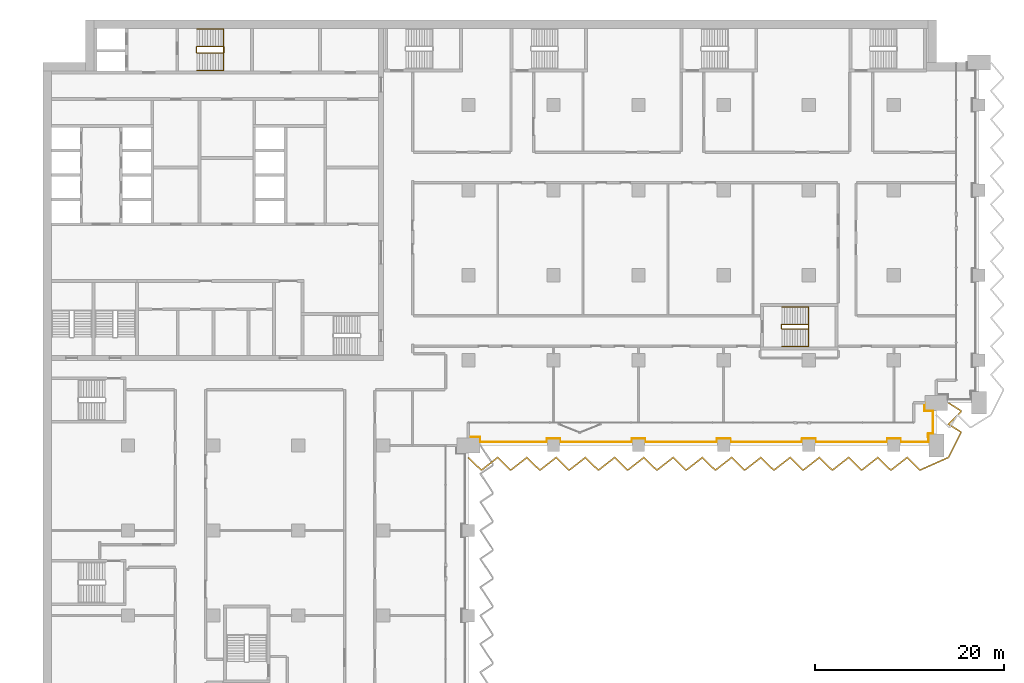
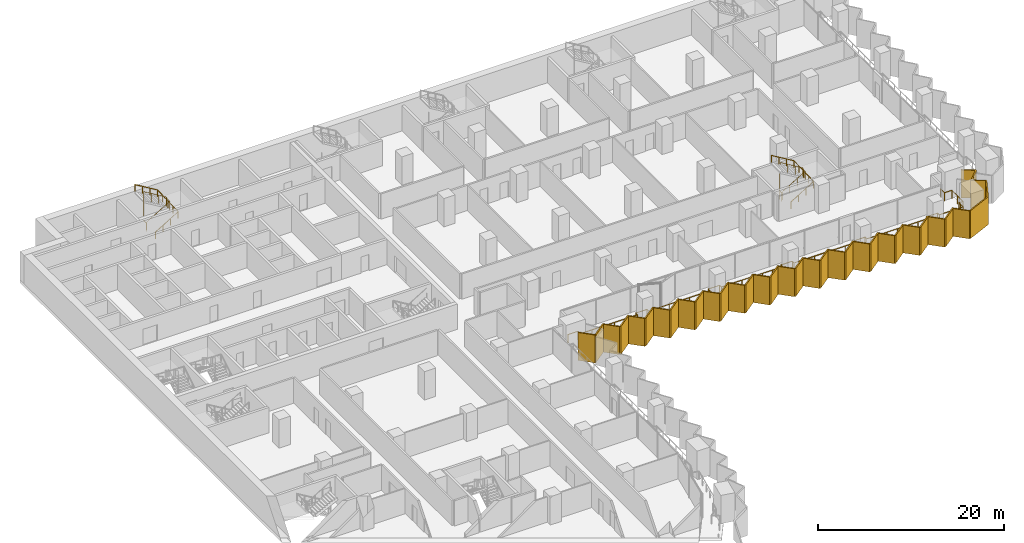
# One storey, part 26 of 28: 5 railings, 1 shading device.
"""IFC4 building model written with IfcOpenShell, lengths in metres."""

import ifcopenshell
import ifcopenshell.guid

model = None  # the IFC model being written
_history = None  # IfcOwnerHistory: only IFC2X3 demands one
_inside = {}  # id of a spatial element -> (the spatial element, [elements in it])
_under = {}  # id of a project, library or spatial element -> (it, [spatial elements below it])
_declared = {}  # id of a project -> (the project, [libraries it declares])
_typed = {}  # id of a type object -> (the type object, [elements of that type])
_made_of = {}  # id of a material, layer set ... -> (it, [elements and type objects made of it])


def new_model(schema):
    """Start an empty IFC model of exactly this schema.

    Asked for "IFC4X3", IfcOpenShell would pick the latest addendum, in which some entities
    have other attributes; the version numbers below select the first issue.
    IFC2X3 requires an IfcOwnerHistory on every rooted entity: one is made here for all.
    """
    global model, _history
    if schema == "IFC4X3":
        model = ifcopenshell.file(schema_version=(4, 3, 0, 0))
    else:
        model = ifcopenshell.file(schema=schema)
    _inside.clear()
    _under.clear()
    _declared.clear()
    _typed.clear()
    _made_of.clear()
    _history = None
    if model.schema == "IFC2X3":
        org = make("IfcOrganization", Name="unknown")
        user = make(
            "IfcPersonAndOrganization",
            ThePerson=make("IfcPerson", FamilyName="unknown"),
            TheOrganization=org,
        )
        app = make(
            "IfcApplication",
            ApplicationDeveloper=org,
            Version="unknown",
            ApplicationFullName="unknown",
            ApplicationIdentifier="unknown",
        )
        _history = make(
            "IfcOwnerHistory",
            OwningUser=user,
            OwningApplication=app,
            ChangeAction="ADDED",
            CreationDate=0,
        )
    return model


def make(cls, **values):
    """One entity of the class cls with the attributes given. An attribute that is None is left unset."""
    return model.create_entity(
        cls, **{name: value for name, value in values.items() if value is not None}
    )


def rooted(cls, **values):
    """An entity with a GlobalId (a new one), such as an element, a storey or a relation."""
    return make(cls, GlobalId=ifcopenshell.guid.new(), OwnerHistory=_history, **values)


def si_unit(unit_type, name, prefix=None):
    """IfcSIUnit, for example si_unit("LENGTHUNIT", "METRE", prefix="MILLI")."""
    return make("IfcSIUnit", UnitType=unit_type, Prefix=prefix, Name=name)


def assignment(units):
    """IfcUnitAssignment: the units of a project."""
    return None if units is None else make("IfcUnitAssignment", Units=units)


def point(xyz):
    """IfcCartesianPoint."""
    return None if xyz is None else make("IfcCartesianPoint", Coordinates=xyz)


def direction(xyz):
    """IfcDirection."""
    return None if xyz is None else make("IfcDirection", DirectionRatios=xyz)


def frame(location, z_axis=None, x_axis=None):
    """IfcAxis2Placement3D, a coordinate frame: its origin and axes. An axis left out is left unset."""
    return make(
        "IfcAxis2Placement3D",
        Location=point(location),
        Axis=direction(z_axis),
        RefDirection=direction(x_axis),
    )


def frame_2d(location, x_axis=None):
    """IfcAxis2Placement2D, a coordinate frame in the plane: its origin and x axis."""
    return make(
        "IfcAxis2Placement2D", Location=point(location), RefDirection=direction(x_axis)
    )


def origin():
    """The frame at (0, 0, 0) with its axes left unset."""
    return frame((0.0, 0.0, 0.0))


def origin_2d():
    """The frame at (0, 0) in the plane with its x axis left unset."""
    return frame_2d((0.0, 0.0))


def place(relative_to, where):
    """IfcLocalPlacement: puts the frame where relative to a parent placement (None: the world)."""
    return make(
        "IfcLocalPlacement", PlacementRelTo=relative_to, RelativePlacement=where
    )


def context(
    kind, dimensions, precision=None, world=None, true_north=None, identifier=None
):
    """IfcGeometricRepresentationContext, for example the 3D "Model" context."""
    return make(
        "IfcGeometricRepresentationContext",
        ContextIdentifier=identifier,
        ContextType=kind,
        CoordinateSpaceDimension=dimensions,
        Precision=precision,
        WorldCoordinateSystem=world,
        TrueNorth=true_north,
    )


def subcontext(parent, identifier, kind, view, scale=None):
    """IfcGeometricRepresentationSubContext, for example "Body" below "Model"."""
    return make(
        "IfcGeometricRepresentationSubContext",
        ContextIdentifier=identifier,
        ContextType=kind,
        ParentContext=parent,
        TargetScale=scale,
        TargetView=view,
    )


def project(units=None, contexts=None):
    """IfcProject with its units and contexts."""
    return rooted(
        "IfcProject",
        Name="project",
        RepresentationContexts=contexts,
        UnitsInContext=assignment(units),
    )


def spatial(cls, under=None, at=None, **own):
    """A site, building, storey or space (cls), placed at a placement, below another one or the project."""
    s = rooted(cls, ObjectPlacement=at, **own)
    if under is not None:
        _under.setdefault(under.id(), (under, []))[1].append(s)
    return s


def polyline(points):
    """IfcPolyline through the points."""
    return make("IfcPolyline", Points=[point(p) for p in points])


def profile(cls, at=None, kind="AREA", **sizes):
    """A parametric profile (cls). Its sizes go by their IFC names, for example OverallWidth=200.0."""
    return make(cls, ProfileType=kind, Position=at, **sizes)


def circle(**sizes):
    """IfcCircleProfileDef."""
    return profile("IfcCircleProfileDef", **sizes)


def outline(outer, holes=None, kind="AREA"):
    """IfcArbitraryClosedProfileDef: a profile drawn as a closed curve; with holes, ...WithVoids."""
    if holes is None:
        return make("IfcArbitraryClosedProfileDef", ProfileType=kind, OuterCurve=outer)
    return make(
        "IfcArbitraryProfileDefWithVoids",
        ProfileType=kind,
        OuterCurve=outer,
        InnerCurves=holes,
    )


def extrude(swept, where, along, depth):
    """IfcExtrudedAreaSolid: the profile swept, set in the frame where, extruded along a direction by depth."""
    return make(
        "IfcExtrudedAreaSolid",
        SweptArea=swept,
        Position=where,
        ExtrudedDirection=direction(along),
        Depth=depth,
    )


def shape(context_of_items, identifier, shape_type, items):
    """IfcShapeRepresentation: the items that make up one representation, for example the "Body"."""
    return make(
        "IfcShapeRepresentation",
        ContextOfItems=context_of_items,
        RepresentationIdentifier=identifier,
        RepresentationType=shape_type,
        Items=items,
    )


def material(Name=None, Category=None):
    """IfcMaterial."""
    return make("IfcMaterial", Name=Name, Category=Category)


def layer(
    of_material, thickness, ventilated=None, Name=None, Category=None, Priority=None
):
    """IfcMaterialLayer: one layer of a wall or slab, of a material (None: an air gap)."""
    return make(
        "IfcMaterialLayer",
        Material=of_material,
        LayerThickness=thickness,
        IsVentilated=ventilated,
        Name=Name,
        Category=Category,
        Priority=Priority,
    )


def layer_set(layers, Name=None):
    """IfcMaterialLayerSet."""
    return make("IfcMaterialLayerSet", MaterialLayers=layers, LayerSetName=Name)


def made_of(thing, what):
    """Note that an element or type object is made of a material, layer set ...; save() writes the relation."""
    if what is not None:
        _made_of.setdefault(what.id(), (what, []))[1].append(thing)
    return thing


def type_object(cls, material=None, **own):
    """A type object (cls), such as IfcWallType, which elements share."""
    return made_of(rooted(cls, **own), material)


def element(
    cls,
    number,
    at=None,
    inside=None,
    cuts=None,
    type_object=None,
    material=None,
    context=None,
    identifier="Body",
    shape_type=None,
    held_by="IfcProductDefinitionShape",
    body=None,
    shapes=None,
    **own,
):
    """One element of the class cls, such as IfcWall. Its Tag is "e" and its number.

    at: its placement. inside: the storey or other place that contains it. cuts: it is an
    opening in that element (IfcRelVoidsElement). A single representation is given by context,
    identifier, shape_type and body (its items); several are given by shapes. held_by: the class
    of the entity that holds the representations. save() writes the other relations.
    """
    e = rooted(cls, Tag="e%d" % number, ObjectPlacement=at, **own)
    if body is not None:
        shapes = [shape(context, identifier, shape_type, body)]
    if shapes is not None:
        e.Representation = make(held_by, Representations=shapes)
    if inside is not None:
        _inside.setdefault(inside.id(), (inside, []))[1].append(e)
    if cuts is not None:
        rooted(
            "IfcRelVoidsElement", RelatingBuildingElement=cuts, RelatedOpeningElement=e
        )
    if type_object is not None:
        _typed.setdefault(type_object.id(), (type_object, []))[1].append(e)
    return made_of(e, material)


def aggregate(whole, parts):
    """IfcRelAggregates: a whole, such as a stair, and the parts it consists of."""
    return rooted("IfcRelAggregates", RelatingObject=whole, RelatedObjects=parts)


def save(model, path):
    """Write the relations noted so far, then the file.

    IfcRelAggregates (storeys below a building ...), IfcRelContainedInSpatialStructure (elements
    in a storey), IfcRelDefinesByType, IfcRelAssociatesMaterial and IfcRelDeclares: one each for
    every whole, place, type object, material and project.
    """
    for whole, parts in _under.values():
        aggregate(whole, parts)
    for where, things in _inside.values():
        rooted(
            "IfcRelContainedInSpatialStructure",
            RelatedElements=things,
            RelatingStructure=where,
        )
    for kind, things in _typed.values():
        rooted("IfcRelDefinesByType", RelatedObjects=things, RelatingType=kind)
    for what, things in _made_of.values():
        rooted("IfcRelAssociatesMaterial", RelatedObjects=things, RelatingMaterial=what)
    for by, libraries in _declared.values():
        rooted("IfcRelDeclares", RelatingContext=by, RelatedDefinitions=libraries)
    model.write(path)


model = new_model("IFC4")

# Units and contexts
model_context = context("Model", 3, precision=1e-05, world=origin(), true_north=direction((0.0, 1.0)))
body_context = subcontext(model_context, "Body", "Model", "MODEL_VIEW")
ifc_project = project(units=[si_unit("LENGTHUNIT", "METRE"), si_unit("AREAUNIT", "SQUARE_METRE"), si_unit("VOLUMEUNIT", "CUBIC_METRE"), si_unit("PLANEANGLEUNIT", "RADIAN"), si_unit("MASSUNIT", "GRAM", prefix="KILO")], contexts=[model_context])

# Site, building, storey
site_placement = place(None, origin())
site = spatial("IfcSite", under=ifc_project, at=site_placement, CompositionType="ELEMENT")
building_placement = place(site_placement, origin())
building = spatial("IfcBuilding", under=site, at=building_placement, Name="Hunhe Ridgeline Campus", CompositionType="ELEMENT")
storey_placement = place(building_placement, frame((0.0, 0.0, 35.800048828125)))
storey = spatial("IfcBuildingStorey", under=building, at=storey_placement, Name="L07", CompositionType="ELEMENT", Elevation=35.800048828125)

# Railing
ifc_material_1 = material(Name="Steel Q355", Category="steel")
railing_type_1 = type_object("IfcRailingType", Name="Loggia guard 1100 Steel Q355", PredefinedType="GUARDRAIL", material=ifc_material_1)
railing_1_placement = place(storey_placement, frame((45.0, 54.8701171875, 0.0)))
element("IfcRailing", 1, at=railing_1_placement, inside=storey, type_object=railing_type_1, Name="Loggia guard 2", PredefinedType="GUARDRAIL", context=body_context, shape_type="SweptSolid", body=[
    extrude(circle(Radius=0.02392578125, at=origin_2d()), frame((0.0, 0.0, 1.076171875), z_axis=(1.0, 0.0, 0.0), x_axis=(0.0, 1.0, 0.0)), (0.0, 0.0, 1.0), 1.25),
    extrude(circle(Radius=0.02392578125, at=origin_2d()), frame((1.25, 0.0, 1.076171875), z_axis=(0.0, -1.0, 0.0), x_axis=(1.0, 0.0, 0.0)), (0.0, 0.0, 1.0), 0.52001953125),
    extrude(circle(Radius=0.02392578125, at=origin_2d()), frame((1.25, -0.52001953125, 1.076171875), z_axis=(1.0, 0.0, 0.0), x_axis=(0.0, 1.0, 0.0)), (0.0, 0.0, 1.0), 7.050048828125),
    extrude(circle(Radius=0.02392578125, at=origin_2d()), frame((8.300048828125, -0.52001953125, 1.076171875), z_axis=(0.0, 1.0, 0.0), x_axis=(-1.0, 0.0, 0.0)), (0.0, 0.0, 1.0), 0.369873046875),
    extrude(circle(Radius=0.02392578125, at=origin_2d()), frame((8.300048828125, -0.150146484375, 1.076171875), z_axis=(1.0, 0.0, 0.0), x_axis=(0.0, 1.0, 0.0)), (0.0, 0.0, 1.0), 1.39990234375),
    extrude(circle(Radius=0.02392578125, at=origin_2d()), frame((9.699951171875, -0.150146484375, 1.076171875), z_axis=(0.0, -1.0, 0.0), x_axis=(1.0, 0.0, 0.0)), (0.0, 0.0, 1.0), 0.369873046875),
    extrude(circle(Radius=0.02392578125, at=origin_2d()), frame((9.699951171875, -0.52001953125, 1.076171875), z_axis=(1.0, 0.0, 0.0), x_axis=(0.0, 1.0, 0.0)), (0.0, 0.0, 1.0), 7.60009765625),
    extrude(circle(Radius=0.02392578125, at=origin_2d()), frame((17.300048828125, -0.52001953125, 1.076171875), z_axis=(0.0, 1.0, 0.0), x_axis=(-1.0, 0.0, 0.0)), (0.0, 0.0, 1.0), 0.369873046875),
    extrude(circle(Radius=0.02392578125, at=origin_2d()), frame((17.300048828125, -0.150146484375, 1.076171875), z_axis=(1.0, 0.0, 0.0), x_axis=(0.0, 1.0, 0.0)), (0.0, 0.0, 1.0), 1.39990234375),
    extrude(circle(Radius=0.02392578125, at=origin_2d()), frame((18.699951171875, -0.150146484375, 1.076171875), z_axis=(0.0, -1.0, 0.0), x_axis=(1.0, 0.0, 0.0)), (0.0, 0.0, 1.0), 0.369873046875),
    extrude(circle(Radius=0.02392578125, at=origin_2d()), frame((18.699951171875, -0.52001953125, 1.076171875), z_axis=(1.0, 0.0, 0.0), x_axis=(0.0, 1.0, 0.0)), (0.0, 0.0, 1.0), 7.60009765625),
    extrude(circle(Radius=0.02392578125, at=origin_2d()), frame((26.300048828125, -0.52001953125, 1.076171875), z_axis=(0.0, 1.0, 0.0), x_axis=(-1.0, 0.0, 0.0)), (0.0, 0.0, 1.0), 0.369873046875),
    extrude(circle(Radius=0.02392578125, at=origin_2d()), frame((26.300048828125, -0.150146484375, 1.076171875), z_axis=(1.0, 0.0, 0.0), x_axis=(0.0, 1.0, 0.0)), (0.0, 0.0, 1.0), 1.39990234375),
    extrude(circle(Radius=0.02392578125, at=origin_2d()), frame((27.699951171875, -0.150146484375, 1.076171875), z_axis=(0.0, -1.0, 0.0), x_axis=(1.0, 0.0, 0.0)), (0.0, 0.0, 1.0), 0.369873046875),
    extrude(circle(Radius=0.02392578125, at=origin_2d()), frame((27.699951171875, -0.52001953125, 1.076171875), z_axis=(1.0, 0.0, 0.0), x_axis=(0.0, 1.0, 0.0)), (0.0, 0.0, 1.0), 7.60009765625),
    extrude(circle(Radius=0.02392578125, at=origin_2d()), frame((35.300048828125, -0.52001953125, 1.076171875), z_axis=(0.0, 1.0, 0.0), x_axis=(-1.0, 0.0, 0.0)), (0.0, 0.0, 1.0), 0.369873046875),
    extrude(circle(Radius=0.02392578125, at=origin_2d()), frame((35.300048828125, -0.150146484375, 1.076171875), z_axis=(1.0, 0.0, 0.0), x_axis=(0.0, 1.0, 0.0)), (0.0, 0.0, 1.0), 1.39990234375),
    extrude(circle(Radius=0.02392578125, at=origin_2d()), frame((36.699951171875, -0.150146484375, 1.076171875), z_axis=(0.0, -1.0, 0.0), x_axis=(1.0, 0.0, 0.0)), (0.0, 0.0, 1.0), 0.369873046875),
    extrude(circle(Radius=0.02392578125, at=origin_2d()), frame((36.699951171875, -0.52001953125, 1.076171875), z_axis=(1.0, 0.0, 0.0), x_axis=(0.0, 1.0, 0.0)), (0.0, 0.0, 1.0), 7.60009765625),
    extrude(circle(Radius=0.02392578125, at=origin_2d()), frame((44.300048828125, -0.52001953125, 1.076171875), z_axis=(0.0, 1.0, 0.0), x_axis=(-1.0, 0.0, 0.0)), (0.0, 0.0, 1.0), 0.369873046875),
    extrude(circle(Radius=0.02392578125, at=origin_2d()), frame((44.300048828125, -0.150146484375, 1.076171875), z_axis=(1.0, 0.0, 0.0), x_axis=(0.0, 1.0, 0.0)), (0.0, 0.0, 1.0), 1.39990234375),
    extrude(circle(Radius=0.02392578125, at=origin_2d()), frame((45.699951171875, -0.150146484375, 1.076171875), z_axis=(0.0, -1.0, 0.0), x_axis=(1.0, 0.0, 0.0)), (0.0, 0.0, 1.0), 0.369873046875),
    extrude(circle(Radius=0.02392578125, at=origin_2d()), frame((45.699951171875, -0.52001953125, 1.076171875), z_axis=(1.0, 0.0, 0.0), x_axis=(0.0, 1.0, 0.0)), (0.0, 0.0, 1.0), 2.949951171875),
    extrude(circle(Radius=0.02392578125, at=origin_2d()), frame((48.64990234375, -0.52001953125, 1.076171875), z_axis=(0.0, 1.0, 0.0), x_axis=(-1.0, 0.0, 0.0)), (0.0, 0.0, 1.0), 0.919921875),
    extrude(circle(Radius=0.02392578125, at=origin_2d()), frame((48.64990234375, 0.39990234375, 1.076171875), z_axis=(-0.049998438503, -0.998749295943, 0.0), x_axis=(0.998749295943, -0.049998438503, 0.0)), (0.0, 0.0, 1.0), 0.400390625),
    extrude(circle(Radius=0.02392578125, at=origin_2d()), frame((48.6298828125, 0.0, 1.076171875), z_axis=(0.0, 1.0, 0.0), x_axis=(-1.0, 0.0, 0.0)), (0.0, 0.0, 1.0), 0.3798828125),
    extrude(circle(Radius=0.02392578125, at=origin_2d()), frame((48.6298828125, 0.3798828125, 1.076171875), z_axis=(1.0, 0.0, 0.0), x_axis=(0.0, 1.0, 0.0)), (0.0, 0.0, 1.0), 0.52001953125),
    extrude(circle(Radius=0.02392578125, at=origin_2d()), frame((49.14990234375, 0.3798828125, 1.076171875), z_axis=(0.0, 1.0, 0.0), x_axis=(-1.0, 0.0, 0.0)), (0.0, 0.0, 1.0), 2.39990234375),
    extrude(circle(Radius=0.02392578125, at=origin_2d()), frame((49.14990234375, 2.77978515625, 1.076171875), z_axis=(-1.0, 0.0, 0.0), x_axis=(0.0, -1.0, 0.0)), (0.0, 0.0, 1.0), 0.919921875),
    extrude(circle(Radius=0.02392578125, at=origin_2d()), frame((48.22998046875, 2.77978515625, 1.076171875), z_axis=(0.0, 1.0, 0.0), x_axis=(-1.0, 0.0, 0.0)), (0.0, 0.0, 1.0), 0.85009765625),
    extrude(circle(Radius=0.02099609375, at=origin_2d()), origin(), (0.0, 0.0, 1.0), 1.052001953125),
    extrude(circle(Radius=0.02099609375, at=origin_2d()), frame((1.25, 0.0, 0.0)), (0.0, 0.0, 1.0), 1.052001953125),
    extrude(circle(Radius=0.02099609375, at=origin_2d()), frame((1.25, -0.52001953125, 0.0)), (0.0, 0.0, 1.0), 1.052001953125),
    extrude(circle(Radius=0.02099609375, at=origin_2d()), frame((2.659912109375, -0.52001953125, 0.0)), (0.0, 0.0, 1.0), 1.052001953125),
    extrude(circle(Radius=0.02099609375, at=origin_2d()), frame((4.070068359375, -0.52001953125, 0.0)), (0.0, 0.0, 1.0), 1.052001953125),
    extrude(circle(Radius=0.02099609375, at=origin_2d()), frame((5.47998046875, -0.52001953125, 0.0)), (0.0, 0.0, 1.0), 1.052001953125),
    extrude(circle(Radius=0.02099609375, at=origin_2d()), frame((6.89013671875, -0.52001953125, 0.0)), (0.0, 0.0, 1.0), 1.052001953125),
    extrude(circle(Radius=0.02099609375, at=origin_2d()), frame((8.300048828125, -0.52001953125, 0.0)), (0.0, 0.0, 1.0), 1.052001953125),
    extrude(circle(Radius=0.02099609375, at=origin_2d()), frame((8.300048828125, -0.150146484375, 0.0)), (0.0, 0.0, 1.0), 1.052001953125),
    extrude(circle(Radius=0.02099609375, at=origin_2d()), frame((9.699951171875, -0.150146484375, 0.0)), (0.0, 0.0, 1.0), 1.052001953125),
    extrude(circle(Radius=0.02099609375, at=origin_2d()), frame((9.699951171875, -0.52001953125, 0.0)), (0.0, 0.0, 1.0), 1.052001953125),
    extrude(circle(Radius=0.02099609375, at=origin_2d()), frame((10.966552734375, -0.52001953125, 0.0)), (0.0, 0.0, 1.0), 1.052001953125),
    extrude(circle(Radius=0.02099609375, at=origin_2d()), frame((12.2333984375, -0.52001953125, 0.0)), (0.0, 0.0, 1.0), 1.052001953125),
    extrude(circle(Radius=0.02099609375, at=origin_2d()), frame((13.5, -0.52001953125, 0.0)), (0.0, 0.0, 1.0), 1.052001953125),
    extrude(circle(Radius=0.02099609375, at=origin_2d()), frame((14.7666015625, -0.52001953125, 0.0)), (0.0, 0.0, 1.0), 1.052001953125),
    extrude(circle(Radius=0.02099609375, at=origin_2d()), frame((16.033447265625, -0.52001953125, 0.0)), (0.0, 0.0, 1.0), 1.052001953125),
    extrude(circle(Radius=0.02099609375, at=origin_2d()), frame((17.300048828125, -0.52001953125, 0.0)), (0.0, 0.0, 1.0), 1.052001953125),
    extrude(circle(Radius=0.02099609375, at=origin_2d()), frame((17.300048828125, -0.150146484375, 0.0)), (0.0, 0.0, 1.0), 1.052001953125),
    extrude(circle(Radius=0.02099609375, at=origin_2d()), frame((18.699951171875, -0.150146484375, 0.0)), (0.0, 0.0, 1.0), 1.052001953125),
    extrude(circle(Radius=0.02099609375, at=origin_2d()), frame((18.699951171875, -0.52001953125, 0.0)), (0.0, 0.0, 1.0), 1.052001953125),
    extrude(circle(Radius=0.02099609375, at=origin_2d()), frame((19.966552734375, -0.52001953125, 0.0)), (0.0, 0.0, 1.0), 1.052001953125),
    extrude(circle(Radius=0.02099609375, at=origin_2d()), frame((21.2333984375, -0.52001953125, 0.0)), (0.0, 0.0, 1.0), 1.052001953125),
    extrude(circle(Radius=0.02099609375, at=origin_2d()), frame((22.5, -0.52001953125, 0.0)), (0.0, 0.0, 1.0), 1.052001953125),
    extrude(circle(Radius=0.02099609375, at=origin_2d()), frame((23.7666015625, -0.52001953125, 0.0)), (0.0, 0.0, 1.0), 1.052001953125),
    extrude(circle(Radius=0.02099609375, at=origin_2d()), frame((25.033447265625, -0.52001953125, 0.0)), (0.0, 0.0, 1.0), 1.052001953125),
    extrude(circle(Radius=0.02099609375, at=origin_2d()), frame((26.300048828125, -0.52001953125, 0.0)), (0.0, 0.0, 1.0), 1.052001953125),
    extrude(circle(Radius=0.02099609375, at=origin_2d()), frame((26.300048828125, -0.150146484375, 0.0)), (0.0, 0.0, 1.0), 1.052001953125),
    extrude(circle(Radius=0.02099609375, at=origin_2d()), frame((27.699951171875, -0.150146484375, 0.0)), (0.0, 0.0, 1.0), 1.052001953125),
    extrude(circle(Radius=0.02099609375, at=origin_2d()), frame((27.699951171875, -0.52001953125, 0.0)), (0.0, 0.0, 1.0), 1.052001953125),
    extrude(circle(Radius=0.02099609375, at=origin_2d()), frame((28.966552734375, -0.52001953125, 0.0)), (0.0, 0.0, 1.0), 1.052001953125),
    extrude(circle(Radius=0.02099609375, at=origin_2d()), frame((30.2333984375, -0.52001953125, 0.0)), (0.0, 0.0, 1.0), 1.052001953125),
    extrude(circle(Radius=0.02099609375, at=origin_2d()), frame((31.5, -0.52001953125, 0.0)), (0.0, 0.0, 1.0), 1.052001953125),
    extrude(circle(Radius=0.02099609375, at=origin_2d()), frame((32.7666015625, -0.52001953125, 0.0)), (0.0, 0.0, 1.0), 1.052001953125),
    extrude(circle(Radius=0.02099609375, at=origin_2d()), frame((34.033447265625, -0.52001953125, 0.0)), (0.0, 0.0, 1.0), 1.052001953125),
    extrude(circle(Radius=0.02099609375, at=origin_2d()), frame((35.300048828125, -0.52001953125, 0.0)), (0.0, 0.0, 1.0), 1.052001953125),
    extrude(circle(Radius=0.02099609375, at=origin_2d()), frame((35.300048828125, -0.150146484375, 0.0)), (0.0, 0.0, 1.0), 1.052001953125),
    extrude(circle(Radius=0.02099609375, at=origin_2d()), frame((36.699951171875, -0.150146484375, 0.0)), (0.0, 0.0, 1.0), 1.052001953125),
    extrude(circle(Radius=0.02099609375, at=origin_2d()), frame((36.699951171875, -0.52001953125, 0.0)), (0.0, 0.0, 1.0), 1.052001953125),
    extrude(circle(Radius=0.02099609375, at=origin_2d()), frame((37.966552734375, -0.52001953125, 0.0)), (0.0, 0.0, 1.0), 1.052001953125),
    extrude(circle(Radius=0.02099609375, at=origin_2d()), frame((39.2333984375, -0.52001953125, 0.0)), (0.0, 0.0, 1.0), 1.052001953125),
    extrude(circle(Radius=0.02099609375, at=origin_2d()), frame((40.5, -0.52001953125, 0.0)), (0.0, 0.0, 1.0), 1.052001953125),
    extrude(circle(Radius=0.02099609375, at=origin_2d()), frame((41.7666015625, -0.52001953125, 0.0)), (0.0, 0.0, 1.0), 1.052001953125),
    extrude(circle(Radius=0.02099609375, at=origin_2d()), frame((43.033447265625, -0.52001953125, 0.0)), (0.0, 0.0, 1.0), 1.052001953125),
    extrude(circle(Radius=0.02099609375, at=origin_2d()), frame((44.300048828125, -0.52001953125, 0.0)), (0.0, 0.0, 1.0), 1.052001953125),
    extrude(circle(Radius=0.02099609375, at=origin_2d()), frame((44.300048828125, -0.150146484375, 0.0)), (0.0, 0.0, 1.0), 1.052001953125),
    extrude(circle(Radius=0.02099609375, at=origin_2d()), frame((45.699951171875, -0.150146484375, 0.0)), (0.0, 0.0, 1.0), 1.052001953125),
    extrude(circle(Radius=0.02099609375, at=origin_2d()), frame((45.699951171875, -0.52001953125, 0.0)), (0.0, 0.0, 1.0), 1.052001953125),
    extrude(circle(Radius=0.02099609375, at=origin_2d()), frame((47.1748046875, -0.52001953125, 0.0)), (0.0, 0.0, 1.0), 1.052001953125),
    extrude(circle(Radius=0.02099609375, at=origin_2d()), frame((48.64990234375, -0.52001953125, 0.0)), (0.0, 0.0, 1.0), 1.052001953125),
    extrude(circle(Radius=0.02099609375, at=origin_2d()), frame((48.64990234375, 0.39990234375, 0.0)), (0.0, 0.0, 1.0), 1.052001953125),
    extrude(circle(Radius=0.02099609375, at=origin_2d()), frame((48.6298828125, 0.0, 0.0)), (0.0, 0.0, 1.0), 1.052001953125),
    extrude(circle(Radius=0.02099609375, at=origin_2d()), frame((48.6298828125, 0.3798828125, 0.0)), (0.0, 0.0, 1.0), 1.052001953125),
    extrude(circle(Radius=0.02099609375, at=origin_2d()), frame((49.14990234375, 0.3798828125, 0.0)), (0.0, 0.0, 1.0), 1.052001953125),
    extrude(circle(Radius=0.02099609375, at=origin_2d()), frame((49.14990234375, 1.579833984375, 0.0)), (0.0, 0.0, 1.0), 1.052001953125),
    extrude(circle(Radius=0.02099609375, at=origin_2d()), frame((49.14990234375, 2.77978515625, 0.0)), (0.0, 0.0, 1.0), 1.052001953125),
    extrude(circle(Radius=0.02099609375, at=origin_2d()), frame((48.22998046875, 2.77978515625, 0.0)), (0.0, 0.0, 1.0), 1.052001953125),
    extrude(circle(Radius=0.02099609375, at=origin_2d()), frame((48.22998046875, 3.6298828125, 0.0)), (0.0, 0.0, 1.0), 1.052001953125),
])

# Shading device
ifc_material_2 = material(Name="Concrete C50", Category="concrete")
ifc_layer = layer(ifc_material_2, 0.14990234375)
ifc_layer_set = layer_set([ifc_layer], Name="Sawtooth concrete fin 150 Concrete C50")
shading_device_type = type_object("IfcShadingDeviceType", Name="Sawtooth concrete fin 150 Concrete C50", PredefinedType="USERDEFINED", material=ifc_layer_set)
shading_device_placement = place(storey_placement, frame((0.0, 0.0, -0.949951171875)))
element("IfcShadingDevice", 2, at=shading_device_placement, inside=storey, type_object=shading_device_type, Name="Concrete fin screen 2", ObjectType="FIN", PredefinedType="USERDEFINED", context=body_context, shape_type="SweptSolid", body=[
    extrude(outline(polyline([(45.052734375, 52.7783203125), (44.947265625, 52.671875), (46.279296875, 51.35009765625), (46.4560546875, 51.35009765625), (48.087890625, 52.625244140625), (49.373046875, 51.35009765625), (49.5498046875, 51.35009765625), (51.181640625, 52.625244140625), (52.466796875, 51.35009765625), (52.6435546875, 51.35009765625), (54.275390625, 52.625244140625), (55.560546875, 51.35009765625), (55.7373046875, 51.35009765625), (57.369140625, 52.625244140625), (58.654296875, 51.35009765625), (58.8310546875, 51.35009765625), (60.462890625, 52.625244140625), (61.748046875, 51.35009765625), (61.9248046875, 51.35009765625), (63.556640625, 52.625244140625), (64.841796875, 51.35009765625), (65.0185546875, 51.35009765625), (66.650390625, 52.625244140625), (67.935546875, 51.35009765625), (68.1123046875, 51.35009765625), (69.744140625, 52.625244140625), (71.029296875, 51.35009765625), (71.2060546875, 51.35009765625), (72.837890625, 52.625244140625), (74.123046875, 51.35009765625), (74.2998046875, 51.35009765625), (75.931640625, 52.625244140625), (77.216796875, 51.35009765625), (77.3935546875, 51.35009765625), (79.025390625, 52.625244140625), (80.310546875, 51.35009765625), (80.4873046875, 51.35009765625), (82.119140625, 52.625244140625), (83.404296875, 51.35009765625), (83.5810546875, 51.35009765625), (85.212890625, 52.625244140625), (86.498046875, 51.35009765625), (86.6748046875, 51.35009765625), (88.306640625, 52.625244140625), (89.591796875, 51.35009765625), (89.7685546875, 51.35009765625), (91.400390625, 52.625244140625), (92.685546875, 51.35009765625), (92.852294921875, 51.35009765625), (95.829833984375, 52.667236328125), (97.14990234375, 55.29248046875), (97.14990234375, 55.4716796875), (95.89404296875, 56.263671875), (97.14990234375, 57.529296875), (97.14990234375, 57.7216796875), (95.81494140625, 58.5634765625), (95.735107421875, 58.4365234375), (97.0, 57.638916015625), (97.0, 57.591064453125), (95.656005859375, 56.236328125), (97.0, 55.388916015625), (97.0, 55.328125), (95.719970703125, 52.78271484375), (92.820556640625, 51.5), (92.747314453125, 51.5), (91.412109375, 52.82470703125), (89.717041015625, 51.5), (89.653564453125, 51.5), (88.318359375, 52.82470703125), (86.623291015625, 51.5), (86.559814453125, 51.5), (85.224609375, 52.82470703125), (83.529541015625, 51.5), (83.466064453125, 51.5), (82.130859375, 52.82470703125), (80.435791015625, 51.5), (80.372314453125, 51.5), (79.037109375, 52.82470703125), (77.342041015625, 51.5), (77.278564453125, 51.5), (75.943359375, 52.82470703125), (74.248291015625, 51.5), (74.184814453125, 51.5), (72.849609375, 52.82470703125), (71.154541015625, 51.5), (71.091064453125, 51.5), (69.755859375, 52.82470703125), (68.060791015625, 51.5), (67.997314453125, 51.5), (66.662109375, 52.82470703125), (64.967041015625, 51.5), (64.903564453125, 51.5), (63.568359375, 52.82470703125), (61.873291015625, 51.5), (61.809814453125, 51.5), (60.474609375, 52.82470703125), (58.779541015625, 51.5), (58.716064453125, 51.5), (57.380859375, 52.82470703125), (55.685791015625, 51.5), (55.622314453125, 51.5), (54.287109375, 52.82470703125), (52.592041015625, 51.5), (52.528564453125, 51.5), (51.193359375, 52.82470703125), (49.498291015625, 51.5), (49.434814453125, 51.5), (48.099609375, 52.82470703125), (46.404541015625, 51.5), (46.341064453125, 51.5), (45.052734375, 52.7783203125)])), origin(), (0.0, 0.0, 1.0), 3.64990234375),
])

# Railings
ifc_material_3 = material(Name="Stainless steel balustrade", Category="steel")
railing_type_2 = type_object("IfcRailingType", Name="Stair guard 1100 stainless", PredefinedType="GUARDRAIL", material=ifc_material_3)
railing_2_placement = place(storey_placement, frame((16.300048828125, 95.5, 0.168212890625)))
element("IfcRailing", 3, at=railing_2_placement, inside=storey, type_object=railing_type_2, Name="L07 stair S1 guard", PredefinedType="GUARDRAIL", context=body_context, shape_type="SweptSolid", body=[
    extrude(circle(Radius=0.02392578125, at=origin_2d()), frame((0.0, 0.0, 1.076171875), z_axis=(0.857275202839, 0.0, 0.514858452973), x_axis=(0.0, 1.0, 0.0)), (0.0, 0.0, 1.0), 3.26611328125),
    extrude(circle(Radius=0.02392578125, at=origin_2d()), frame((2.800048828125, 0.0, 2.7578125), z_axis=(0.705375805398, 0.708833529934, 0.0), x_axis=(-0.708833529934, 0.705375805398, 0.0)), (0.0, 0.0, 1.0), 0.070556640625),
    extrude(circle(Radius=0.02392578125, at=origin_2d()), frame((2.849853515625, 0.050048828125, 2.7578125), z_axis=(0.0, 1.0, 0.0), x_axis=(-1.0, 0.0, 0.0)), (0.0, 0.0, 1.0), 0.599853515625),
    extrude(circle(Radius=0.02392578125, at=origin_2d()), frame((2.849853515625, 0.64990234375, 2.7578125), z_axis=(-0.273006030465, 0.27434429532, 0.922064485248), x_axis=(-0.708833529934, -0.705375805398, 0.0)), (0.0, 0.0, 1.0), 0.182373046875),
    extrude(circle(Radius=0.02392578125, at=origin_2d()), frame((2.800048828125, 0.699951171875, 2.92578125), z_axis=(-0.857242210791, 0.0, 0.514913383045), x_axis=(0.0, -1.0, 0.0)), (0.0, 0.0, 1.0), 3.266357421875),
    extrude(circle(Radius=0.02392578125, at=origin_2d()), frame((0.0, 0.699951171875, 4.60791015625), z_axis=(-0.013524414389, -0.013524414389, -0.999817073484), x_axis=(0.707106781187, -0.707106781187, 0.0)), (0.0, 0.0, 1.0), 3.70068359375),
    extrude(circle(Radius=0.02392578125, at=origin_2d()), frame((-0.050048828125, 0.64990234375, 0.90771484375), z_axis=(0.0, -1.0, 0.0), x_axis=(1.0, 0.0, 0.0)), (0.0, 0.0, 1.0), 0.599853515625),
    extrude(circle(Radius=0.02099609375, at=origin_2d()), origin(), (0.0, 0.0, 1.0), 1.052001953125),
    extrude(circle(Radius=0.02099609375, at=origin_2d()), frame((0.933349609375, 0.0, 0.560546875)), (0.0, 0.0, 1.0), 1.052001953125),
    extrude(circle(Radius=0.02099609375, at=origin_2d()), frame((1.86669921875, 0.0, 1.12109375)), (0.0, 0.0, 1.0), 1.052001953125),
    extrude(circle(Radius=0.02099609375, at=origin_2d()), frame((2.800048828125, 0.0, 1.681640625)), (0.0, 0.0, 1.0), 1.052001953125),
    extrude(circle(Radius=0.02099609375, at=origin_2d()), frame((2.849853515625, 0.050048828125, 1.681640625)), (0.0, 0.0, 1.0), 1.052001953125),
    extrude(circle(Radius=0.02099609375, at=origin_2d()), frame((2.849853515625, 0.64990234375, 1.681640625)), (0.0, 0.0, 1.0), 1.052001953125),
    extrude(circle(Radius=0.02099609375, at=origin_2d()), frame((2.800048828125, 0.699951171875, 1.849853515625)), (0.0, 0.0, 1.0), 1.052001953125),
    extrude(circle(Radius=0.02099609375, at=origin_2d()), frame((1.86669921875, 0.699951171875, 2.410400390625)), (0.0, 0.0, 1.0), 1.052001953125),
    extrude(circle(Radius=0.02099609375, at=origin_2d()), frame((0.933349609375, 0.699951171875, 2.97119140625)), (0.0, 0.0, 1.0), 1.052001953125),
    extrude(circle(Radius=0.02099609375, at=origin_2d()), frame((0.0, 0.699951171875, 3.53173828125)), (0.0, 0.0, 1.0), 1.052001953125),
    extrude(circle(Radius=0.02099609375, at=origin_2d()), frame((-0.012451171875, 0.6875, 2.606689453125)), (0.0, 0.0, 1.0), 1.052001953125),
    extrude(circle(Radius=0.02099609375, at=origin_2d()), frame((-0.02490234375, 0.6748046875, 1.681640625)), (0.0, 0.0, 1.0), 1.052001953125),
    extrude(circle(Radius=0.02099609375, at=origin_2d()), frame((-0.03759765625, 0.662353515625, 0.7568359375)), (0.0, 0.0, 1.0), 1.052001953125),
    extrude(circle(Radius=0.02099609375, at=origin_2d()), frame((-0.050048828125, 0.64990234375, -0.168212890625)), (0.0, 0.0, 1.0), 1.052001953125),
    extrude(circle(Radius=0.02099609375, at=origin_2d()), frame((-0.050048828125, 0.050048828125, -0.168212890625)), (0.0, 0.0, 1.0), 1.052001953125),
])
railing_3_placement = place(storey_placement, frame((78.14990234375, 66.300048828125, 0.168212890625)))
element("IfcRailing", 4, at=railing_3_placement, inside=storey, type_object=railing_type_2, Name="L07 stair E5 guard", PredefinedType="GUARDRAIL", context=body_context, shape_type="SweptSolid", body=[
    extrude(circle(Radius=0.02392578125, at=origin_2d()), frame((0.0, 0.0, 1.076171875), z_axis=(0.857275202839, 0.0, 0.514858452973), x_axis=(0.0, 1.0, 0.0)), (0.0, 0.0, 1.0), 3.26611328125),
    extrude(circle(Radius=0.02392578125, at=origin_2d()), frame((2.800048828125, 0.0, 2.7578125), z_axis=(0.707106781187, 0.707106781187, 0.0), x_axis=(-0.707106781187, 0.707106781187, 0.0)), (0.0, 0.0, 1.0), 0.07080078125),
    extrude(circle(Radius=0.02392578125, at=origin_2d()), frame((2.85009765625, 0.050048828125, 2.7578125), z_axis=(0.0, 1.0, 0.0), x_axis=(-1.0, 0.0, 0.0)), (0.0, 0.0, 1.0), 0.39990234375),
    extrude(circle(Radius=0.02392578125, at=origin_2d()), frame((2.85009765625, 0.449951171875, 2.7578125), z_axis=(-0.274243871929, 0.274243871929, 0.92172696468), x_axis=(-0.707106781187, -0.707106781187, 0.0)), (0.0, 0.0, 1.0), 0.1826171875),
    extrude(circle(Radius=0.02392578125, at=origin_2d()), frame((2.800048828125, 0.5, 2.92578125), z_axis=(-0.857242210791, 0.0, 0.514913383045), x_axis=(0.0, -1.0, 0.0)), (0.0, 0.0, 1.0), 3.266357421875),
    extrude(circle(Radius=0.02392578125, at=origin_2d()), frame((0.0, 0.5, 4.60791015625), z_axis=(-0.013458453615, -0.013524426427, -0.999817963389), x_axis=(0.708833529934, -0.705375805398, 0.0)), (0.0, 0.0, 1.0), 3.70068359375),
    extrude(circle(Radius=0.02392578125, at=origin_2d()), frame((-0.0498046875, 0.449951171875, 0.90771484375), z_axis=(0.0, -1.0, 0.0), x_axis=(1.0, 0.0, 0.0)), (0.0, 0.0, 1.0), 0.39990234375),
    extrude(circle(Radius=0.02099609375, at=origin_2d()), origin(), (0.0, 0.0, 1.0), 1.052001953125),
    extrude(circle(Radius=0.02099609375, at=origin_2d()), frame((0.933349609375, 0.0, 0.560546875)), (0.0, 0.0, 1.0), 1.052001953125),
    extrude(circle(Radius=0.02099609375, at=origin_2d()), frame((1.86669921875, 0.0, 1.12109375)), (0.0, 0.0, 1.0), 1.052001953125),
    extrude(circle(Radius=0.02099609375, at=origin_2d()), frame((2.800048828125, 0.0, 1.681640625)), (0.0, 0.0, 1.0), 1.052001953125),
    extrude(circle(Radius=0.02099609375, at=origin_2d()), frame((2.85009765625, 0.050048828125, 1.681640625)), (0.0, 0.0, 1.0), 1.052001953125),
    extrude(circle(Radius=0.02099609375, at=origin_2d()), frame((2.85009765625, 0.449951171875, 1.681640625)), (0.0, 0.0, 1.0), 1.052001953125),
    extrude(circle(Radius=0.02099609375, at=origin_2d()), frame((2.800048828125, 0.5, 1.849853515625)), (0.0, 0.0, 1.0), 1.052001953125),
    extrude(circle(Radius=0.02099609375, at=origin_2d()), frame((1.86669921875, 0.5, 2.410400390625)), (0.0, 0.0, 1.0), 1.052001953125),
    extrude(circle(Radius=0.02099609375, at=origin_2d()), frame((0.933349609375, 0.5, 2.97119140625)), (0.0, 0.0, 1.0), 1.052001953125),
    extrude(circle(Radius=0.02099609375, at=origin_2d()), frame((0.0, 0.5, 3.53173828125)), (0.0, 0.0, 1.0), 1.052001953125),
    extrude(circle(Radius=0.02099609375, at=origin_2d()), frame((-0.012451171875, 0.487548828125, 2.606689453125)), (0.0, 0.0, 1.0), 1.052001953125),
    extrude(circle(Radius=0.02099609375, at=origin_2d()), frame((-0.02490234375, 0.47509765625, 1.681640625)), (0.0, 0.0, 1.0), 1.052001953125),
    extrude(circle(Radius=0.02099609375, at=origin_2d()), frame((-0.037353515625, 0.46240234375, 0.7568359375)), (0.0, 0.0, 1.0), 1.052001953125),
    extrude(circle(Radius=0.02099609375, at=origin_2d()), frame((-0.0498046875, 0.449951171875, -0.168212890625)), (0.0, 0.0, 1.0), 1.052001953125),
    extrude(circle(Radius=0.02099609375, at=origin_2d()), frame((-0.0498046875, 0.050048828125, -0.168212890625)), (0.0, 0.0, 1.0), 1.052001953125),
])
ifc_material_4 = material(Name="Stainless steel handrail", Category="steel")
railing_type_3 = type_object("IfcRailingType", Name="Stair handrail 900 stainless", PredefinedType="HANDRAIL", material=ifc_material_4)
railing_4_placement = place(storey_placement, frame((16.300048828125, 93.64990234375, 0.168212890625)))
element("IfcRailing", 5, at=railing_4_placement, inside=storey, type_object=railing_type_3, Name="L07 stair S1 handrail", PredefinedType="HANDRAIL", context=body_context, shape_type="SweptSolid", body=[
    extrude(circle(Radius=0.02392578125, at=origin_2d()), frame((0.0, 0.0, 0.8759765625), z_axis=(0.857275202839, 0.0, 0.514858452973), x_axis=(0.0, 1.0, 0.0)), (0.0, 0.0, 1.0), 3.26611328125),
    extrude(circle(Radius=0.02392578125, at=origin_2d()), frame((2.800048828125, 0.0, 2.5576171875), z_axis=(0.0, 0.999270074432, 0.038201025428), x_axis=(-1.0, 0.0, 0.0)), (0.0, 0.0, 1.0), 4.4033203125),
    extrude(circle(Radius=0.02392578125, at=origin_2d()), frame((2.800048828125, 4.400146484375, 2.7255859375), z_axis=(-0.857242210791, 0.0, 0.514913383045), x_axis=(0.0, -1.0, 0.0)), (0.0, 0.0, 1.0), 3.266357421875),
    extrude(circle(Radius=0.02099609375, at=origin_2d()), origin(), (0.0, 0.0, 1.0), 0.851806640625),
    extrude(circle(Radius=0.02099609375, at=origin_2d()), frame((0.933349609375, 0.0, 0.560546875)), (0.0, 0.0, 1.0), 0.851806640625),
    extrude(circle(Radius=0.02099609375, at=origin_2d()), frame((1.86669921875, 0.0, 1.12109375)), (0.0, 0.0, 1.0), 0.851806640625),
    extrude(circle(Radius=0.02099609375, at=origin_2d()), frame((2.800048828125, 0.0, 1.681640625)), (0.0, 0.0, 1.0), 0.851806640625),
    extrude(circle(Radius=0.02099609375, at=origin_2d()), frame((2.800048828125, 1.10009765625, 1.7236328125)), (0.0, 0.0, 1.0), 0.851806640625),
    extrude(circle(Radius=0.02099609375, at=origin_2d()), frame((2.800048828125, 2.2001953125, 1.765625)), (0.0, 0.0, 1.0), 0.851806640625),
    extrude(circle(Radius=0.02099609375, at=origin_2d()), frame((2.800048828125, 3.300048828125, 1.807861328125)), (0.0, 0.0, 1.0), 0.851806640625),
    extrude(circle(Radius=0.02099609375, at=origin_2d()), frame((2.800048828125, 4.400146484375, 1.849853515625)), (0.0, 0.0, 1.0), 0.851806640625),
    extrude(circle(Radius=0.02099609375, at=origin_2d()), frame((1.86669921875, 4.400146484375, 2.410400390625)), (0.0, 0.0, 1.0), 0.851806640625),
    extrude(circle(Radius=0.02099609375, at=origin_2d()), frame((0.933349609375, 4.400146484375, 2.97119140625)), (0.0, 0.0, 1.0), 0.851806640625),
    extrude(circle(Radius=0.02099609375, at=origin_2d()), frame((0.0, 4.400146484375, 3.53173828125)), (0.0, 0.0, 1.0), 0.851806640625),
])
railing_5_placement = place(storey_placement, frame((78.14990234375, 64.449951171875, 0.168212890625)))
element("IfcRailing", 6, at=railing_5_placement, inside=storey, type_object=railing_type_3, Name="L07 stair E5 handrail", PredefinedType="HANDRAIL", context=body_context, shape_type="SweptSolid", body=[
    extrude(circle(Radius=0.02392578125, at=origin_2d()), frame((0.0, 0.0, 0.8759765625), z_axis=(0.857275202839, 0.0, 0.514858452973), x_axis=(0.0, 1.0, 0.0)), (0.0, 0.0, 1.0), 3.26611328125),
    extrude(circle(Radius=0.02392578125, at=origin_2d()), frame((2.800048828125, 0.0, 2.5576171875), z_axis=(0.0, 0.999198916169, 0.040019069537), x_axis=(-1.0, 0.0, 0.0)), (0.0, 0.0, 1.0), 4.203369140625),
    extrude(circle(Radius=0.02392578125, at=origin_2d()), frame((2.800048828125, 4.199951171875, 2.7255859375), z_axis=(-0.857242210791, 0.0, 0.514913383045), x_axis=(0.0, -1.0, 0.0)), (0.0, 0.0, 1.0), 3.266357421875),
    extrude(circle(Radius=0.02099609375, at=origin_2d()), origin(), (0.0, 0.0, 1.0), 0.851806640625),
    extrude(circle(Radius=0.02099609375, at=origin_2d()), frame((0.933349609375, 0.0, 0.560546875)), (0.0, 0.0, 1.0), 0.851806640625),
    extrude(circle(Radius=0.02099609375, at=origin_2d()), frame((1.86669921875, 0.0, 1.12109375)), (0.0, 0.0, 1.0), 0.851806640625),
    extrude(circle(Radius=0.02099609375, at=origin_2d()), frame((2.800048828125, 0.0, 1.681640625)), (0.0, 0.0, 1.0), 0.851806640625),
    extrude(circle(Radius=0.02099609375, at=origin_2d()), frame((2.800048828125, 1.050048828125, 1.7236328125)), (0.0, 0.0, 1.0), 0.851806640625),
    extrude(circle(Radius=0.02099609375, at=origin_2d()), frame((2.800048828125, 2.10009765625, 1.765625)), (0.0, 0.0, 1.0), 0.851806640625),
    extrude(circle(Radius=0.02099609375, at=origin_2d()), frame((2.800048828125, 3.14990234375, 1.807861328125)), (0.0, 0.0, 1.0), 0.851806640625),
    extrude(circle(Radius=0.02099609375, at=origin_2d()), frame((2.800048828125, 4.199951171875, 1.849853515625)), (0.0, 0.0, 1.0), 0.851806640625),
    extrude(circle(Radius=0.02099609375, at=origin_2d()), frame((1.86669921875, 4.199951171875, 2.410400390625)), (0.0, 0.0, 1.0), 0.851806640625),
    extrude(circle(Radius=0.02099609375, at=origin_2d()), frame((0.933349609375, 4.199951171875, 2.97119140625)), (0.0, 0.0, 1.0), 0.851806640625),
    extrude(circle(Radius=0.02099609375, at=origin_2d()), frame((0.0, 4.199951171875, 3.53173828125)), (0.0, 0.0, 1.0), 0.851806640625),
])

save(model, "model.ifc")
